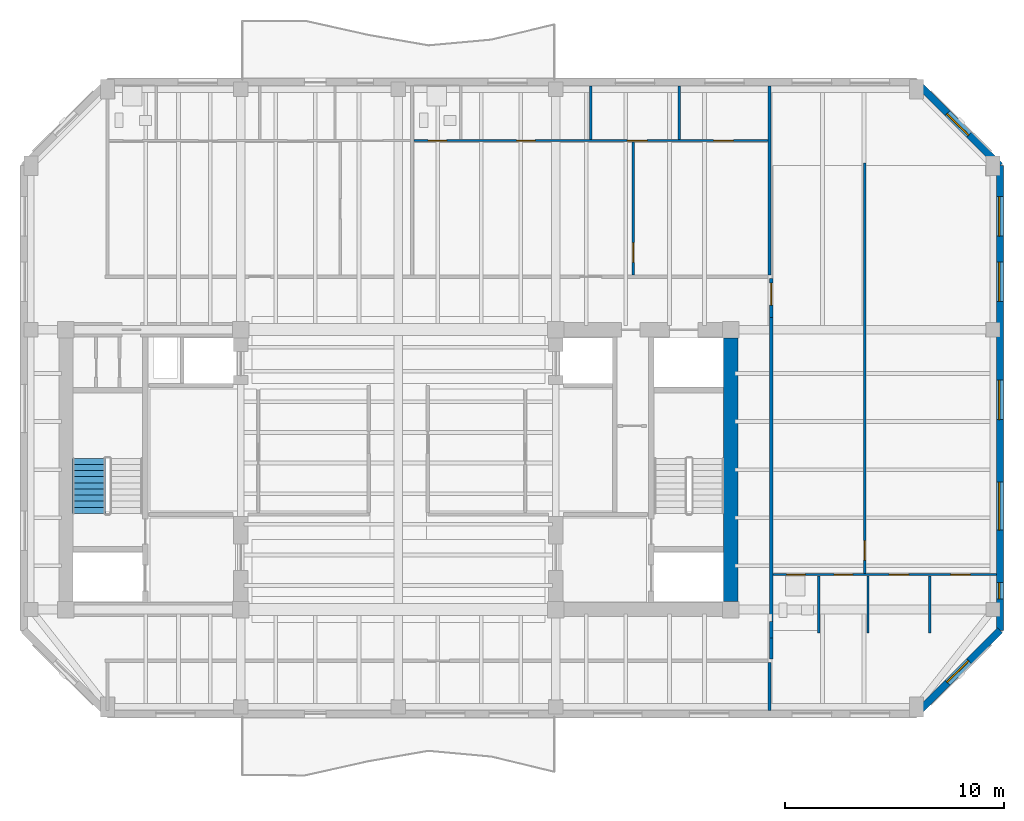
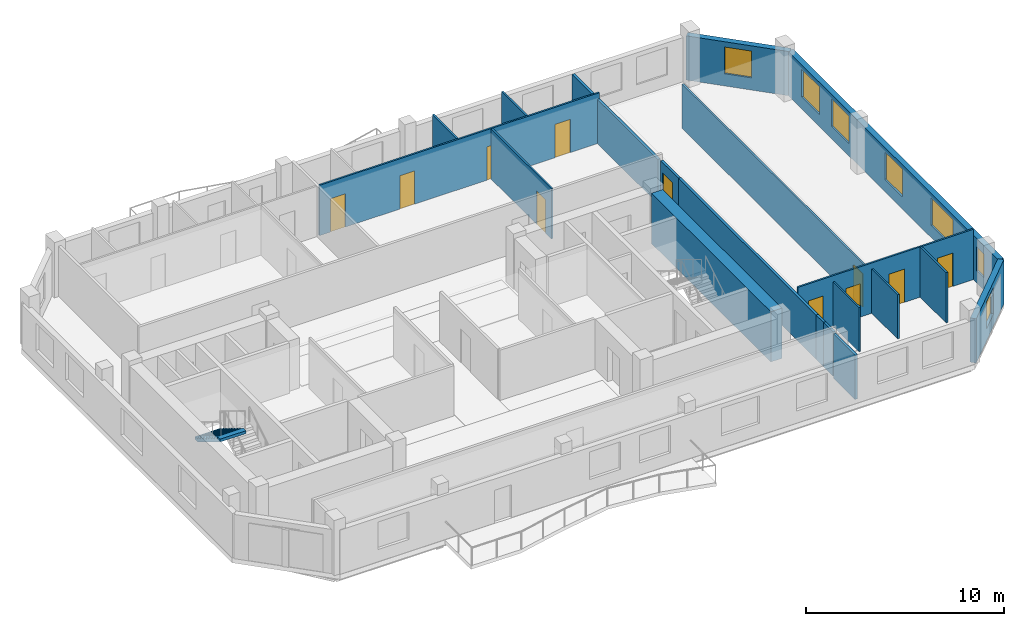
# One storey, part 5 of 9: 19 walls, 11 doors, 7 windows, 1 stair flight, 18 openings, 1 element without a shape of its own.
"""IFC4 building model written with IfcOpenShell, lengths in metres."""

from ifc_helpers import new_model, si_unit, direction, frame, frame_2d, origin, place, context, subcontext, project, spatial, polyline, rectangle, outline, extrude, material, layer, layer_set, type_object, element, fill, aggregate, save


model = new_model("IFC4")

# Units and contexts
model_context = context("Model", 3, precision=1e-05, world=origin(), true_north=direction((0.0, 1.0)))
body_context = subcontext(model_context, "Body", "Model", "MODEL_VIEW")
ifc_project = project(units=[si_unit("LENGTHUNIT", "METRE"), si_unit("AREAUNIT", "SQUARE_METRE"), si_unit("VOLUMEUNIT", "CUBIC_METRE"), si_unit("PLANEANGLEUNIT", "RADIAN"), si_unit("MASSUNIT", "GRAM", prefix="KILO")], contexts=[model_context])

# Site, building, storey
site_placement = place(None, origin())
site = spatial("IfcSite", under=ifc_project, at=site_placement, CompositionType="ELEMENT")
building_placement = place(site_placement, origin())
building = spatial("IfcBuilding", under=site, at=building_placement, Name="Kranthara Brick Stack", CompositionType="ELEMENT")
storey_placement = place(building_placement, frame((0.0, 0.0, 255.10009765625)))
storey = spatial("IfcBuildingStorey", under=building, at=storey_placement, Name="L67", CompositionType="ELEMENT", Elevation=255.10009765625)

# Wall, opening, window
ifc_material_1 = material(Name="Warm buff clay brick masonry M15", Category="masonry")
ifc_layer_1 = layer(ifc_material_1, 0.320068359375)
ifc_layer_set_1 = layer_set([ifc_layer_1], Name="Warm buff clay brick masonry M15")
wall_type_1 = type_object("IfcWallType", Name="WL-BRK-UPPR-320", PredefinedType="STANDARD", material=ifc_layer_set_1)
wall_1_placement = place(storey_placement, frame((51.699951171875, 44.919921875, 0.0), z_axis=(0.0, 0.0, 1.0), x_axis=(0.70712937715, -0.707084184501, 0.0)))
wall_1 = element("IfcWall", 1, at=wall_1_placement, inside=storey, type_object=wall_type_1, Name="L67 Exterior Brick Facade Wall NE 1", PredefinedType="STANDARD", context=body_context, shape_type="SweptSolid", body=[
    extrude(rectangle(XDim=5.402099609375, YDim=0.320068359375, at=frame_2d((2.701171875, 0.0))), origin(), (0.0, 0.0, 1.0), 2.724853515625),
])
opening_1_placement = place(wall_1_placement, frame((2.0009765625, 0.0, 0.75)))
opening_1 = element("IfcOpeningElement", 2, at=opening_1_placement, cuts=wall_1, Name="Opening WN10", PredefinedType="OPENING", context=body_context, shape_type="SweptSolid", body=[
    extrude(rectangle(XDim=1.39990234375, YDim=1.64990234375, at=frame_2d((0.699951171875, 0.824951171875))), frame((0.0, 0.169921875, 0.0), z_axis=(0.0, -1.0, 0.0), x_axis=(1.0, 0.0, 0.0)), (0.0, 0.0, 1.0), 0.340087890625),
])
ifc_material_2 = material(Name="Double-glazed low-E solar control glass", Category="glass")
window_type_1 = type_object("IfcWindowType", Name="WN-CHM-1400x1750", PartitioningType="SINGLE_PANEL", PredefinedType="WINDOW", material=ifc_material_2)
window_1_placement = place(opening_1_placement, origin())
window_1 = element("IfcWindow", 3, at=window_1_placement, inside=storey, type_object=window_type_1, Name="L67 NE Chamfer Corner Window", OverallHeight=1.64990234375, OverallWidth=1.39990234375, PartitioningType="SINGLE_PANEL", PredefinedType="WINDOW", context=body_context, shape_type="SweptSolid", body=[
    extrude(rectangle(XDim=1.39990234375, YDim=1.64990234375, at=frame_2d((0.699951171875, 0.824951171875))), frame((0.0, -0.010009765625, 0.0), z_axis=(0.0, -1.0, 0.0), x_axis=(1.0, 0.0, 0.0)), (0.0, 0.0, 1.0), 0.06005859375),
])
fill(opening_1, window_1)

# Wall, openings, windows
wall_2_placement = place(storey_placement, frame((55.52001953125, 41.10009765625, 0.0), z_axis=(0.0, 0.0, 1.0), x_axis=(0.0, -1.0, 0.0)))
wall_2 = element("IfcWall", 4, at=wall_2_placement, inside=storey, type_object=wall_type_1, Name="L67 Exterior Brick Facade Wall EAST 1", PredefinedType="STANDARD", context=body_context, shape_type="SweptSolid", body=[
    extrude(rectangle(XDim=21.25, YDim=0.320068359375, at=frame_2d((10.625, 0.0))), origin(), (0.0, 0.0, 1.0), 2.724853515625),
])
opening_2_placement = place(wall_2_placement, frame((1.4189453125, 0.0, 0.75)))
opening_2 = element("IfcOpeningElement", 5, at=opening_2_placement, cuts=wall_2, Name="Opening WN07", PredefinedType="OPENING", context=body_context, shape_type="SweptSolid", body=[
    extrude(rectangle(XDim=1.800048828125, YDim=1.699951171875, at=frame_2d((0.89990234375, 0.85009765625))), frame((0.0, 0.169921875, 0.0), z_axis=(0.0, -1.0, 0.0), x_axis=(1.0, 0.0, 0.0)), (0.0, 0.0, 1.0), 0.340087890625),
])
opening_3_placement = place(wall_2_placement, frame((4.406005859375, 0.0, 0.75)))
opening_3 = element("IfcOpeningElement", 6, at=opening_3_placement, cuts=wall_2, Name="Opening WN07", PredefinedType="OPENING", context=body_context, shape_type="SweptSolid", body=[
    extrude(rectangle(XDim=1.800048828125, YDim=1.699951171875, at=frame_2d((0.89990234375, 0.85009765625))), frame((0.0, 0.169921875, 0.0), z_axis=(0.0, -1.0, 0.0), x_axis=(1.0, 0.0, 0.0)), (0.0, 0.0, 1.0), 0.340087890625),
])
opening_4_placement = place(wall_2_placement, frame((9.806884765625, 0.0, 0.75)))
opening_4 = element("IfcOpeningElement", 7, at=opening_4_placement, cuts=wall_2, Name="Opening WN07", PredefinedType="OPENING", context=body_context, shape_type="SweptSolid", body=[
    extrude(rectangle(XDim=1.800048828125, YDim=1.699951171875, at=frame_2d((0.89990234375, 0.85009765625))), frame((0.0, 0.169921875, 0.0), z_axis=(0.0, -1.0, 0.0), x_axis=(1.0, 0.0, 0.0)), (0.0, 0.0, 1.0), 0.340087890625),
])
opening_5_placement = place(wall_2_placement, frame((14.468017578125, 0.0, 0.75)))
opening_5 = element("IfcOpeningElement", 8, at=opening_5_placement, cuts=wall_2, Name="Opening WN08", PredefinedType="OPENING", context=body_context, shape_type="SweptSolid", body=[
    extrude(rectangle(XDim=2.199951171875, YDim=1.699951171875, at=frame_2d((1.10009765625, 0.85009765625))), frame((0.0, 0.169921875, 0.0), z_axis=(0.0, -1.0, 0.0), x_axis=(1.0, 0.0, 0.0)), (0.0, 0.0, 1.0), 0.340087890625),
])
opening_6_placement = place(wall_2_placement, frame((19.06201171875, 0.0, 0.75)))
opening_6 = element("IfcOpeningElement", 9, at=opening_6_placement, cuts=wall_2, Name="Opening WN13", PredefinedType="OPENING", context=body_context, shape_type="SweptSolid", body=[
    extrude(rectangle(XDim=0.75, YDim=1.449951171875, at=frame_2d((0.375, 0.72509765625))), frame((0.0, 0.169921875, 0.0), z_axis=(0.0, -1.0, 0.0), x_axis=(1.0, 0.0, 0.0)), (0.0, 0.0, 1.0), 0.340087890625),
])
ifc_material_3 = material(Name="Double-glazed low-E solar control glass", Category="glass")
window_type_2 = type_object("IfcWindowType", Name="WN-CAS-750x1450", PartitioningType="SINGLE_PANEL", PredefinedType="WINDOW", material=ifc_material_3)
window_2_placement = place(opening_6_placement, origin())
window_2 = element("IfcWindow", 10, at=window_2_placement, inside=storey, type_object=window_type_2, Name="L67 East Deep-Set Casement Window 05", OverallHeight=1.449951171875, OverallWidth=0.75, PartitioningType="SINGLE_PANEL", PredefinedType="WINDOW", context=body_context, shape_type="SweptSolid", body=[
    extrude(rectangle(XDim=0.75, YDim=1.449951171875, at=frame_2d((0.375, 0.72509765625))), frame((0.0, -0.010009765625, 0.0), z_axis=(0.0, -1.0, 0.0), x_axis=(1.0, 0.0, 0.0)), (0.0, 0.0, 1.0), 0.06005859375),
])
fill(opening_6, window_2)
ifc_material_4 = material(Name="Double-glazed low-E solar control glass", Category="glass")
window_type_3 = type_object("IfcWindowType", Name="WN-RES-1800x1850", PartitioningType="DOUBLE_PANEL_VERTICAL", PredefinedType="WINDOW", material=ifc_material_4)
window_3_placement = place(opening_2_placement, origin())
window_3 = element("IfcWindow", 11, at=window_3_placement, inside=storey, type_object=window_type_3, Name="L67 East Deep-Set Brick Window 01", OverallHeight=1.699951171875, OverallWidth=1.800048828125, PartitioningType="SINGLE_PANEL", PredefinedType="WINDOW", context=body_context, shape_type="SweptSolid", body=[
    extrude(rectangle(XDim=1.800048828125, YDim=1.699951171875, at=frame_2d((0.89990234375, 0.85009765625))), frame((0.0, -0.010009765625, 0.0), z_axis=(0.0, -1.0, 0.0), x_axis=(1.0, 0.0, 0.0)), (0.0, 0.0, 1.0), 0.06005859375),
])
fill(opening_2, window_3)
window_4_placement = place(opening_3_placement, origin())
window_4 = element("IfcWindow", 12, at=window_4_placement, inside=storey, type_object=window_type_3, Name="L67 East Deep-Set Brick Window 02", OverallHeight=1.699951171875, OverallWidth=1.800048828125, PartitioningType="SINGLE_PANEL", PredefinedType="WINDOW", context=body_context, shape_type="SweptSolid", body=[
    extrude(rectangle(XDim=1.800048828125, YDim=1.699951171875, at=frame_2d((0.89990234375, 0.85009765625))), frame((0.0, -0.010009765625, 0.0), z_axis=(0.0, -1.0, 0.0), x_axis=(1.0, 0.0, 0.0)), (0.0, 0.0, 1.0), 0.06005859375),
])
fill(opening_3, window_4)
window_5_placement = place(opening_4_placement, origin())
window_5 = element("IfcWindow", 13, at=window_5_placement, inside=storey, type_object=window_type_3, Name="L67 East Deep-Set Brick Window 03", OverallHeight=1.699951171875, OverallWidth=1.800048828125, PartitioningType="SINGLE_PANEL", PredefinedType="WINDOW", context=body_context, shape_type="SweptSolid", body=[
    extrude(rectangle(XDim=1.800048828125, YDim=1.699951171875, at=frame_2d((0.89990234375, 0.85009765625))), frame((0.0, -0.010009765625, 0.0), z_axis=(0.0, -1.0, 0.0), x_axis=(1.0, 0.0, 0.0)), (0.0, 0.0, 1.0), 0.06005859375),
])
fill(opening_4, window_5)
ifc_material_5 = material(Name="Double-glazed low-E solar control glass", Category="glass")
window_type_4 = type_object("IfcWindowType", Name="WN-RES-2200x1850", PartitioningType="TRIPLE_PANEL_VERTICAL", PredefinedType="WINDOW", material=ifc_material_5)
window_6_placement = place(opening_5_placement, origin())
window_6 = element("IfcWindow", 14, at=window_6_placement, inside=storey, type_object=window_type_4, Name="L67 East Deep-Set Brick Window 04", OverallHeight=1.699951171875, OverallWidth=2.199951171875, PartitioningType="SINGLE_PANEL", PredefinedType="WINDOW", context=body_context, shape_type="SweptSolid", body=[
    extrude(rectangle(XDim=2.199951171875, YDim=1.699951171875, at=frame_2d((1.10009765625, 0.85009765625))), frame((0.0, -0.010009765625, 0.0), z_axis=(0.0, -1.0, 0.0), x_axis=(1.0, 0.0, 0.0)), (0.0, 0.0, 1.0), 0.06005859375),
])
fill(opening_5, window_6)

# Wall, opening, window
wall_3_placement = place(storey_placement, frame((55.52001953125, 19.85009765625, 0.0), z_axis=(0.0, 0.0, 1.0), x_axis=(-0.707106781187, -0.707106781187, 0.0)))
wall_3 = element("IfcWall", 15, at=wall_3_placement, inside=storey, type_object=wall_type_1, Name="L67 Exterior Brick Facade Wall SE 1", PredefinedType="STANDARD", context=body_context, shape_type="SweptSolid", body=[
    extrude(rectangle(XDim=5.40234375, YDim=0.320068359375, at=frame_2d((2.701171875, 0.0))), origin(), (0.0, 0.0, 1.0), 2.724853515625),
])
opening_7_placement = place(wall_3_placement, frame((2.0009765625, 0.0, 0.75)))
opening_7 = element("IfcOpeningElement", 16, at=opening_7_placement, cuts=wall_3, Name="Opening WN10", PredefinedType="OPENING", context=body_context, shape_type="SweptSolid", body=[
    extrude(rectangle(XDim=1.39990234375, YDim=1.64990234375, at=frame_2d((0.699951171875, 0.824951171875))), frame((0.0, 0.169921875, 0.0), z_axis=(0.0, -1.0, 0.0), x_axis=(1.0, 0.0, 0.0)), (0.0, 0.0, 1.0), 0.340087890625),
])
window_7_placement = place(opening_7_placement, origin())
window_7 = element("IfcWindow", 17, at=window_7_placement, inside=storey, type_object=window_type_1, Name="L67 SE Chamfer Corner Window", OverallHeight=1.64990234375, OverallWidth=1.39990234375, PartitioningType="SINGLE_PANEL", PredefinedType="WINDOW", context=body_context, shape_type="SweptSolid", body=[
    extrude(rectangle(XDim=1.39990234375, YDim=1.64990234375, at=frame_2d((0.699951171875, 0.824951171875))), frame((0.0, -0.010009765625, 0.0), z_axis=(0.0, -1.0, 0.0), x_axis=(1.0, 0.0, 0.0)), (0.0, 0.0, 1.0), 0.06005859375),
])
fill(opening_7, window_7)

# Wall
ifc_material_6 = material(Name="Concrete C60/75", Category="concrete")
ifc_layer_2 = layer(ifc_material_6, 0.64990234375)
ifc_layer_set_2 = layer_set([ifc_layer_2], Name="Concrete C60/75")
wall_type_2 = type_object("IfcWallType", Name="WL-CORE-650", PredefinedType="SHEAR", material=ifc_layer_set_2)
wall_4_placement = place(storey_placement, frame((43.199951171875, 21.179931640625, 0.0), z_axis=(0.0, 0.0, 1.0), x_axis=(0.0, 1.0, 0.0)))
element("IfcWall", 18, at=wall_4_placement, inside=storey, type_object=wall_type_2, Name="L67 East Core Shear Wall East", PredefinedType="SHEAR", context=body_context, shape_type="SweptSolid", body=[
    extrude(rectangle(XDim=12.0400390625, YDim=0.64990234375, at=frame_2d((6.02001953125, 0.0))), origin(), (0.0, 0.0, 1.0), 3.099853515625),
])

# Wall, openings, doors
ifc_material_7 = material(Name="Moisture-resistant wet-room partition", Category="other")
ifc_layer_3 = layer(ifc_material_7, 0.10009765625)
ifc_layer_set_3 = layer_set([ifc_layer_3], Name="Moisture-resistant wet-room partition")
wall_type_3 = type_object("IfcWallType", Name="WL-PART-100", PredefinedType="PARTITIONING", material=ifc_layer_set_3)
wall_5_placement = place(storey_placement, frame((28.708984375, 42.25, 0.0), z_axis=(0.0, 0.0, 1.0), x_axis=(1.0, 0.0, 0.0)))
wall_5 = element("IfcWall", 19, at=wall_5_placement, inside=storey, type_object=wall_type_3, Name="L67 Interior Partition 021", PredefinedType="PARTITIONING", context=body_context, shape_type="SweptSolid", body=[
    extrude(rectangle(XDim=16.31103515625, YDim=0.10009765625, at=frame_2d((8.155517578125, 0.0))), origin(), (0.0, 0.0, 1.0), 3.099853515625),
])
opening_8_placement = place(wall_5_placement, frame((0.64990234375, 0.0, 0.0)))
opening_8 = element("IfcOpeningElement", 20, at=opening_8_placement, cuts=wall_5, Name="Opening D17", PredefinedType="OPENING", context=body_context, shape_type="SweptSolid", body=[
    extrude(rectangle(XDim=0.85009765625, YDim=2.050048828125, at=frame_2d((0.425048828125, 1.02490234375))), frame((0.0, 0.06005859375, 0.0), z_axis=(0.0, -1.0, 0.0), x_axis=(1.0, 0.0, 0.0)), (0.0, 0.0, 1.0), 0.1201171875),
])
opening_9_placement = place(wall_5_placement, frame((4.697021484375, 0.0, 0.0)))
opening_9 = element("IfcOpeningElement", 21, at=opening_9_placement, cuts=wall_5, Name="Opening D16", PredefinedType="OPENING", context=body_context, shape_type="SweptSolid", body=[
    extrude(rectangle(XDim=0.85009765625, YDim=2.050048828125, at=frame_2d((0.425048828125, 1.02490234375))), frame((0.0, 0.06005859375, 0.0), z_axis=(0.0, -1.0, 0.0), x_axis=(1.0, 0.0, 0.0)), (0.0, 0.0, 1.0), 0.1201171875),
])
opening_10_placement = place(wall_5_placement, frame((9.76904296875, 0.0, 0.0)))
opening_10 = element("IfcOpeningElement", 22, at=opening_10_placement, cuts=wall_5, Name="Opening D15", PredefinedType="OPENING", context=body_context, shape_type="SweptSolid", body=[
    extrude(rectangle(XDim=0.89990234375, YDim=2.050048828125, at=frame_2d((0.449951171875, 1.02490234375))), frame((0.0, 0.06005859375, 0.0), z_axis=(0.0, -1.0, 0.0), x_axis=(1.0, 0.0, 0.0)), (0.0, 0.0, 1.0), 0.1201171875),
])
opening_11_placement = place(wall_5_placement, frame((13.717041015625, 0.0, 0.0)))
opening_11 = element("IfcOpeningElement", 23, at=opening_11_placement, cuts=wall_5, Name="Opening D15", PredefinedType="OPENING", context=body_context, shape_type="SweptSolid", body=[
    extrude(rectangle(XDim=0.89990234375, YDim=2.050048828125, at=frame_2d((0.449951171875, 1.02490234375))), frame((0.0, 0.06005859375, 0.0), z_axis=(0.0, -1.0, 0.0), x_axis=(1.0, 0.0, 0.0)), (0.0, 0.0, 1.0), 0.1201171875),
])
ifc_material_8 = material(Name="Solid-core hardwood timber leaf in steel frame", Category="steel")
door_type_1 = type_object("IfcDoorType", Name="DR-INT-850", OperationType="NOTDEFINED", PredefinedType="DOOR", material=ifc_material_8)
door_1_placement = place(opening_9_placement, origin())
door_1 = element("IfcDoor", 24, at=door_1_placement, inside=storey, type_object=door_type_1, Name="L67 Unit L67B Kitchen 18", OperationType="SINGLE_SWING_RIGHT", OverallHeight=2.050048828125, OverallWidth=0.85009765625, PredefinedType="DOOR", context=body_context, shape_type="SweptSolid", body=[
    extrude(rectangle(XDim=0.85009765625, YDim=2.050048828125, at=frame_2d((0.425048828125, 1.02490234375))), frame((0.0, 0.02490234375, 0.0), z_axis=(0.0, -1.0, 0.0), x_axis=(1.0, 0.0, 0.0)), (0.0, 0.0, 1.0), 0.050048828125),
])
fill(opening_9, door_1)
ifc_material_9 = material(Name="Solid-core hardwood timber leaf in steel frame", Category="steel")
door_type_2 = type_object("IfcDoorType", Name="DR-INT-900", OperationType="NOTDEFINED", PredefinedType="DOOR", material=ifc_material_9)
door_2_placement = place(opening_10_placement, origin())
door_2 = element("IfcDoor", 25, at=door_2_placement, inside=storey, type_object=door_type_2, Name="L67 Unit L67B Master Bedroom 19", OperationType="SINGLE_SWING_LEFT", OverallHeight=2.050048828125, OverallWidth=0.89990234375, PredefinedType="DOOR", context=body_context, shape_type="SweptSolid", body=[
    extrude(rectangle(XDim=0.89990234375, YDim=2.050048828125, at=frame_2d((0.449951171875, 1.02490234375))), frame((0.0, 0.02490234375, 0.0), z_axis=(0.0, -1.0, 0.0), x_axis=(1.0, 0.0, 0.0)), (0.0, 0.0, 1.0), 0.050048828125),
])
fill(opening_10, door_2)
door_3_placement = place(opening_11_placement, origin())
door_3 = element("IfcDoor", 26, at=door_3_placement, inside=storey, type_object=door_type_2, Name="L67 Unit L67B Bedroom 2 20", OperationType="SINGLE_SWING_RIGHT", OverallHeight=2.050048828125, OverallWidth=0.89990234375, PredefinedType="DOOR", context=body_context, shape_type="SweptSolid", body=[
    extrude(rectangle(XDim=0.89990234375, YDim=2.050048828125, at=frame_2d((0.449951171875, 1.02490234375))), frame((0.0, 0.02490234375, 0.0), z_axis=(0.0, -1.0, 0.0), x_axis=(1.0, 0.0, 0.0)), (0.0, 0.0, 1.0), 0.050048828125),
])
fill(opening_11, door_3)
ifc_material_10 = material(Name="Solid-core hardwood timber leaf in steel frame", Category="steel")
door_type_3 = type_object("IfcDoorType", Name="DR-WET-850", OperationType="NOTDEFINED", PredefinedType="DOOR", material=ifc_material_10)
door_4_placement = place(opening_8_placement, origin())
door_4 = element("IfcDoor", 27, at=door_4_placement, inside=storey, type_object=door_type_3, Name="L67 Unit L67B Bathroom 17", OperationType="SINGLE_SWING_LEFT", OverallHeight=2.050048828125, OverallWidth=0.85009765625, PredefinedType="DOOR", context=body_context, shape_type="SweptSolid", body=[
    extrude(rectangle(XDim=0.85009765625, YDim=2.050048828125, at=frame_2d((0.425048828125, 1.02490234375))), frame((0.0, 0.02490234375, 0.0), z_axis=(0.0, -1.0, 0.0), x_axis=(1.0, 0.0, 0.0)), (0.0, 0.0, 1.0), 0.050048828125),
])
fill(opening_8, door_4)

# Wall, opening, door
wall_6_placement = place(storey_placement, frame((38.7470703125, 36.10009765625, 0.0), z_axis=(0.0, 0.0, 1.0), x_axis=(0.0, 1.0, 0.0)))
wall_6 = element("IfcWall", 28, at=wall_6_placement, inside=storey, type_object=wall_type_3, Name="L67 Interior Partition 022", PredefinedType="PARTITIONING", context=body_context, shape_type="SweptSolid", body=[
    extrude(rectangle(XDim=6.094970703125, YDim=0.10009765625, at=frame_2d((3.04736328125, 0.0))), origin(), (0.0, 0.0, 1.0), 3.099853515625),
])
opening_12_placement = place(wall_6_placement, frame((0.580078125, 0.0, 0.0)))
opening_12 = element("IfcOpeningElement", 29, at=opening_12_placement, cuts=wall_6, Name="Opening D15", PredefinedType="OPENING", context=body_context, shape_type="SweptSolid", body=[
    extrude(rectangle(XDim=0.89990234375, YDim=2.050048828125, at=frame_2d((0.449951171875, 1.02490234375))), frame((0.0, 0.06005859375, 0.0), z_axis=(0.0, -1.0, 0.0), x_axis=(1.0, 0.0, 0.0)), (0.0, 0.0, 1.0), 0.1201171875),
])
door_5_placement = place(opening_12_placement, origin())
door_5 = element("IfcDoor", 30, at=door_5_placement, inside=storey, type_object=door_type_2, Name="L67 Unit L67B Study 16", OperationType="SINGLE_SWING_RIGHT", OverallHeight=2.050048828125, OverallWidth=0.89990234375, PredefinedType="DOOR", context=body_context, shape_type="SweptSolid", body=[
    extrude(rectangle(XDim=0.89990234375, YDim=2.050048828125, at=frame_2d((0.449951171875, 1.02490234375))), frame((0.0, 0.02490234375, 0.0), z_axis=(0.0, -1.0, 0.0), x_axis=(1.0, 0.0, 0.0)), (0.0, 0.0, 1.0), 0.050048828125),
])
fill(opening_12, door_5)

# Walls
for number, where, z_axis, x_axis, name in (
    (31, (36.803955078125, 42.304931640625, 0.0), (0.0, 0.0, 1.0), (0.0, 1.0, 0.0), "L67 Interior Partition 024"),
    (32, (40.85205078125, 42.304931640625, 0.0), (0.0, 0.0, 1.0), (0.0, 1.0, 0.0), "L67 Interior Partition 025"),
):
    element("IfcWall", number, at=place(storey_placement, frame(where, z_axis=z_axis, x_axis=x_axis)), inside=storey, type_object=wall_type_3, Name=name, PredefinedType="PARTITIONING", context=body_context, shape_type="SweptSolid", body=[
        extrude(rectangle(XDim=2.449951171875, YDim=0.10009765625, at=frame_2d((1.22509765625, 0.0))), origin(), (0.0, 0.0, 1.0), 3.099853515625),
    ])

# Wall, openings, doors
wall_7_placement = place(storey_placement, frame((45.1298828125, 22.39990234375, 0.0), z_axis=(0.0, 0.0, 1.0), x_axis=(1.0, 0.0, 0.0)))
wall_7 = element("IfcWall", 33, at=wall_7_placement, inside=storey, type_object=wall_type_3, Name="L67 Interior Partition 032", PredefinedType="PARTITIONING", context=body_context, shape_type="SweptSolid", body=[
    extrude(rectangle(XDim=10.22509765625, YDim=0.10009765625, at=frame_2d((5.112548828125, 0.0))), origin(), (0.0, 0.0, 1.0), 3.099853515625),
])
opening_13_placement = place(wall_7_placement, frame((0.626953125, 0.0, 0.0)))
opening_13 = element("IfcOpeningElement", 34, at=opening_13_placement, cuts=wall_7, Name="Opening D17", PredefinedType="OPENING", context=body_context, shape_type="SweptSolid", body=[
    extrude(rectangle(XDim=0.85009765625, YDim=2.050048828125, at=frame_2d((0.425048828125, 1.02490234375))), frame((0.0, 0.06005859375, 0.0), z_axis=(0.0, -1.0, 0.0), x_axis=(1.0, 0.0, 0.0)), (0.0, 0.0, 1.0), 0.1201171875),
])
opening_14_placement = place(wall_7_placement, frame((2.798095703125, 0.0, 0.0)))
opening_14 = element("IfcOpeningElement", 35, at=opening_14_placement, cuts=wall_7, Name="Opening D16", PredefinedType="OPENING", context=body_context, shape_type="SweptSolid", body=[
    extrude(rectangle(XDim=0.85009765625, YDim=2.050048828125, at=frame_2d((0.425048828125, 1.02490234375))), frame((0.0, 0.06005859375, 0.0), z_axis=(0.0, -1.0, 0.0), x_axis=(1.0, 0.0, 0.0)), (0.0, 0.0, 1.0), 0.1201171875),
])
opening_15_placement = place(wall_7_placement, frame((5.31396484375, 0.0, 0.0)))
opening_15 = element("IfcOpeningElement", 36, at=opening_15_placement, cuts=wall_7, Name="Opening D15", PredefinedType="OPENING", context=body_context, shape_type="SweptSolid", body=[
    extrude(rectangle(XDim=0.89990234375, YDim=2.050048828125, at=frame_2d((0.449951171875, 1.02490234375))), frame((0.0, 0.06005859375, 0.0), z_axis=(0.0, -1.0, 0.0), x_axis=(1.0, 0.0, 0.0)), (0.0, 0.0, 1.0), 0.1201171875),
])
opening_16_placement = place(wall_7_placement, frame((8.137939453125, 0.0, 0.0)))
opening_16 = element("IfcOpeningElement", 37, at=opening_16_placement, cuts=wall_7, Name="Opening D15", PredefinedType="OPENING", context=body_context, shape_type="SweptSolid", body=[
    extrude(rectangle(XDim=0.89990234375, YDim=2.050048828125, at=frame_2d((0.449951171875, 1.02490234375))), frame((0.0, 0.06005859375, 0.0), z_axis=(0.0, -1.0, 0.0), x_axis=(1.0, 0.0, 0.0)), (0.0, 0.0, 1.0), 0.1201171875),
])
door_6_placement = place(opening_14_placement, origin())
door_6 = element("IfcDoor", 38, at=door_6_placement, inside=storey, type_object=door_type_1, Name="L67 Unit L67C Kitchen 24", OperationType="SINGLE_SWING_RIGHT", OverallHeight=2.050048828125, OverallWidth=0.85009765625, PredefinedType="DOOR", context=body_context, shape_type="SweptSolid", body=[
    extrude(rectangle(XDim=0.85009765625, YDim=2.050048828125, at=frame_2d((0.425048828125, 1.02490234375))), frame((0.0, 0.02490234375, 0.0), z_axis=(0.0, -1.0, 0.0), x_axis=(1.0, 0.0, 0.0)), (0.0, 0.0, 1.0), 0.050048828125),
])
fill(opening_14, door_6)
door_7_placement = place(opening_15_placement, origin())
door_7 = element("IfcDoor", 39, at=door_7_placement, inside=storey, type_object=door_type_2, Name="L67 Unit L67C Master Bedroom 25", OperationType="SINGLE_SWING_LEFT", OverallHeight=2.050048828125, OverallWidth=0.89990234375, PredefinedType="DOOR", context=body_context, shape_type="SweptSolid", body=[
    extrude(rectangle(XDim=0.89990234375, YDim=2.050048828125, at=frame_2d((0.449951171875, 1.02490234375))), frame((0.0, 0.02490234375, 0.0), z_axis=(0.0, -1.0, 0.0), x_axis=(1.0, 0.0, 0.0)), (0.0, 0.0, 1.0), 0.050048828125),
])
fill(opening_15, door_7)
door_8_placement = place(opening_16_placement, origin())
door_8 = element("IfcDoor", 40, at=door_8_placement, inside=storey, type_object=door_type_2, Name="L67 Unit L67C Bedroom 2 26", OperationType="SINGLE_SWING_RIGHT", OverallHeight=2.050048828125, OverallWidth=0.89990234375, PredefinedType="DOOR", context=body_context, shape_type="SweptSolid", body=[
    extrude(rectangle(XDim=0.89990234375, YDim=2.050048828125, at=frame_2d((0.449951171875, 1.02490234375))), frame((0.0, 0.02490234375, 0.0), z_axis=(0.0, -1.0, 0.0), x_axis=(1.0, 0.0, 0.0)), (0.0, 0.0, 1.0), 0.050048828125),
])
fill(opening_16, door_8)
door_9_placement = place(opening_13_placement, origin())
door_9 = element("IfcDoor", 41, at=door_9_placement, inside=storey, type_object=door_type_3, Name="L67 Unit L67C Bathroom 23", OperationType="SINGLE_SWING_LEFT", OverallHeight=2.050048828125, OverallWidth=0.85009765625, PredefinedType="DOOR", context=body_context, shape_type="SweptSolid", body=[
    extrude(rectangle(XDim=0.85009765625, YDim=2.050048828125, at=frame_2d((0.425048828125, 1.02490234375))), frame((0.0, 0.02490234375, 0.0), z_axis=(0.0, -1.0, 0.0), x_axis=(1.0, 0.0, 0.0)), (0.0, 0.0, 1.0), 0.050048828125),
])
fill(opening_13, door_9)

# Wall, opening, door
wall_8_placement = place(storey_placement, frame((49.3291015625, 22.455078125, 0.0), z_axis=(0.0, 0.0, 1.0), x_axis=(0.0, 1.0, 0.0)))
wall_8 = element("IfcWall", 42, at=wall_8_placement, inside=storey, type_object=wall_type_3, Name="L67 Interior Partition 033", PredefinedType="PARTITIONING", context=body_context, shape_type="SweptSolid", body=[
    extrude(rectangle(XDim=18.764892578125, YDim=0.10009765625, at=frame_2d((9.38232421875, 0.0))), origin(), (0.0, 0.0, 1.0), 2.724853515625),
])
opening_17_placement = place(wall_8_placement, frame((0.60498046875, 0.0, 0.0)))
opening_17 = element("IfcOpeningElement", 43, at=opening_17_placement, cuts=wall_8, Name="Opening D15", PredefinedType="OPENING", context=body_context, shape_type="SweptSolid", body=[
    extrude(rectangle(XDim=0.89990234375, YDim=2.050048828125, at=frame_2d((0.449951171875, 1.02490234375))), frame((0.0, 0.06005859375, 0.0), z_axis=(0.0, -1.0, 0.0), x_axis=(1.0, 0.0, 0.0)), (0.0, 0.0, 1.0), 0.1201171875),
])
door_10_placement = place(opening_17_placement, origin())
door_10 = element("IfcDoor", 44, at=door_10_placement, inside=storey, type_object=door_type_2, Name="L67 Unit L67C Study 22", OperationType="SINGLE_SWING_RIGHT", OverallHeight=2.050048828125, OverallWidth=0.89990234375, PredefinedType="DOOR", context=body_context, shape_type="SweptSolid", body=[
    extrude(rectangle(XDim=0.89990234375, YDim=2.050048828125, at=frame_2d((0.449951171875, 1.02490234375))), frame((0.0, 0.02490234375, 0.0), z_axis=(0.0, -1.0, 0.0), x_axis=(1.0, 0.0, 0.0)), (0.0, 0.0, 1.0), 0.050048828125),
])
fill(opening_17, door_10)

# Walls
for number, where, z_axis, x_axis, name in (
    (45, (47.22412109375, 19.72998046875, 0.0), (0.0, 0.0, 1.0), (0.0, 1.0, 0.0), "L67 Interior Partition 034"),
    (46, (49.48193359375, 19.72998046875, 0.0), (0.0, 0.0, 1.0), (0.0, 1.0, 0.0), "L67 Interior Partition 035"),
):
    element("IfcWall", number, at=place(storey_placement, frame(where, z_axis=z_axis, x_axis=x_axis)), inside=storey, type_object=wall_type_3, Name=name, PredefinedType="PARTITIONING", context=body_context, shape_type="SweptSolid", body=[
        extrude(rectangle(XDim=2.614990234375, YDim=0.10009765625, at=frame_2d((1.3076171875, 0.0))), origin(), (0.0, 0.0, 1.0), 2.724853515625),
    ])
wall_9_placement = place(storey_placement, frame((52.305908203125, 19.72998046875, 0.0), z_axis=(0.0, 0.0, 1.0), x_axis=(0.0, 1.0, 0.0)))
element("IfcWall", 47, at=wall_9_placement, inside=storey, type_object=wall_type_3, Name="L67 Interior Partition 036", PredefinedType="PARTITIONING", context=body_context, shape_type="SweptSolid", body=[
    extrude(rectangle(XDim=2.614990234375, YDim=0.10009765625, at=frame_2d((1.3076171875, 0.0))), origin(), (0.0, 0.0, 1.0), 3.099853515625),
])
ifc_material_11 = material(Name="Fire-rated gypsum board partition", Category="other")
ifc_layer_4 = layer(ifc_material_11, 0.14990234375)
ifc_layer_set_4 = layer_set([ifc_layer_4], Name="Fire-rated gypsum board partition")
wall_type_4 = type_object("IfcWallType", Name="WL-PART-150", PredefinedType="PARTITIONING", material=ifc_layer_set_4)
wall_10_placement = place(storey_placement, frame((44.97998046875, 16.195068359375, 0.0), z_axis=(0.0, 0.0, 1.0), x_axis=(0.0, 1.0, 0.0)))
element("IfcWall", 48, at=wall_10_placement, inside=storey, type_object=wall_type_4, Name="L67 Interior Partition 012", PredefinedType="PARTITIONING", context=body_context, shape_type="SweptSolid", body=[
    extrude(rectangle(XDim=2.184814453125, YDim=0.14990234375, at=frame_2d((1.09228515625, 0.0))), origin(), (0.0, 0.0, 1.0), 2.724853515625),
])
wall_11_placement = place(storey_placement, frame((44.97998046875, 36.10009765625, 0.0), z_axis=(0.0, 0.0, 1.0), x_axis=(0.0, 1.0, 0.0)))
element("IfcWall", 49, at=wall_11_placement, inside=storey, type_object=wall_type_4, Name="L67 Interior Partition 026", PredefinedType="PARTITIONING", context=body_context, shape_type="SweptSolid", body=[
    extrude(rectangle(XDim=8.65478515625, YDim=0.14990234375, at=frame_2d((4.327392578125, 0.0))), origin(), (0.0, 0.0, 1.0), 2.724853515625),
])
wall_12_placement = place(storey_placement, frame((45.050048828125, 19.5, 0.0), z_axis=(0.0, 0.0, 1.0), x_axis=(0.0, -1.0, 0.0)))
element("IfcWall", 50, at=wall_12_placement, inside=storey, type_object=wall_type_4, Name="L67 Interior Partition 027", PredefinedType="PARTITIONING", context=body_context, shape_type="SweptSolid", body=[
    extrude(rectangle(XDim=0.9599609375, YDim=0.14990234375, at=frame_2d((0.47998046875, 0.0))), origin(), (0.0, 0.0, 1.0), 2.724853515625),
])
wall_13_placement = place(storey_placement, frame((45.050048828125, 19.510009765625, 0.0), z_axis=(0.0, 0.0, 1.0), x_axis=(0.0, 1.0, 0.0)))
element("IfcWall", 51, at=wall_13_placement, inside=storey, type_object=wall_type_4, Name="L67 Interior Partition 028", PredefinedType="PARTITIONING", context=body_context, shape_type="SweptSolid", body=[
    extrude(rectangle(XDim=0.739990234375, YDim=0.14990234375, at=frame_2d((0.3701171875, 0.0))), origin(), (0.0, 0.0, 1.0), 2.724853515625),
])
wall_14_placement = place(storey_placement, frame((45.050048828125, 20.25, 0.0), z_axis=(0.0, 0.0, 1.0), x_axis=(0.0, 1.0, 0.0)))
element("IfcWall", 52, at=wall_14_placement, inside=storey, type_object=wall_type_4, Name="L67 Interior Partition 029", PredefinedType="PARTITIONING", context=body_context, shape_type="SweptSolid", body=[
    extrude(rectangle(XDim=13.89990234375, YDim=0.14990234375, at=frame_2d((6.949951171875, 0.0))), origin(), (0.0, 0.0, 1.0), 2.724853515625),
])

# Wall, opening, door
wall_15_placement = place(storey_placement, frame((45.050048828125, 34.14990234375, 0.0), z_axis=(0.0, 0.0, 1.0), x_axis=(0.0, 1.0, 0.0)))
wall_15 = element("IfcWall", 53, at=wall_15_placement, inside=storey, type_object=wall_type_4, Name="L67 Interior Partition 030", PredefinedType="PARTITIONING", context=body_context, shape_type="SweptSolid", body=[
    extrude(rectangle(XDim=1.7900390625, YDim=0.14990234375, at=frame_2d((0.89501953125, 0.0))), origin(), (0.0, 0.0, 1.0), 2.724853515625),
])
opening_18_placement = place(wall_15_placement, frame((0.580078125, 0.0, 0.0)))
opening_18 = element("IfcOpeningElement", 54, at=opening_18_placement, cuts=wall_15, Name="Opening D08", PredefinedType="OPENING", context=body_context, shape_type="SweptSolid", body=[
    extrude(rectangle(XDim=1.0, YDim=2.10009765625, at=frame_2d((0.5, 1.050048828125))), frame((0.0, 0.0849609375, 0.0), z_axis=(0.0, -1.0, 0.0), x_axis=(1.0, 0.0, 0.0)), (0.0, 0.0, 1.0), 0.169921875),
])
ifc_material_12 = material(Name="Solid-core hardwood timber leaf in steel frame", Category="steel")
door_type_4 = type_object("IfcDoorType", Name="DR-FD-1000", OperationType="NOTDEFINED", PredefinedType="DOOR", material=ifc_material_12)
door_11_placement = place(opening_18_placement, origin())
door_11 = element("IfcDoor", 55, at=door_11_placement, inside=storey, type_object=door_type_4, Name="L67 Unit L67C Entrance 21", OperationType="SINGLE_SWING_LEFT", OverallHeight=2.10009765625, OverallWidth=1.0, PredefinedType="DOOR", context=body_context, shape_type="SweptSolid", body=[
    extrude(rectangle(XDim=1.0, YDim=2.10009765625, at=frame_2d((0.5, 1.050048828125))), frame((0.0, 0.02490234375, 0.0), z_axis=(0.0, -1.0, 0.0), x_axis=(1.0, 0.0, 0.0)), (0.0, 0.0, 1.0), 0.050048828125),
])
fill(opening_18, door_11)

# Stair, stair flight
ifc_material_13 = material(Name="Concrete C45/55", Category="concrete")
stair_type = type_object("IfcStairType", Name="ST-CORE-20R", PredefinedType="HALF_TURN_STAIR", material=ifc_material_13)
stair_placement = place(storey_placement, origin())
stair = element("IfcStair", 56, at=stair_placement, inside=storey, type_object=stair_type, Name="L67 West Core Protected Exit Stair ST01", PredefinedType="HALF_TURN_STAIR")
ifc_material_14 = material(Name="Concrete C45/55", Category="concrete")
stair_flight_type = type_object("IfcStairFlightType", Name="SFL-RC-20R", PredefinedType="STRAIGHT", material=ifc_material_14)
stair_flight_placement = place(storey_placement, frame((13.85009765625, 27.719970703125, 1.699951171875), z_axis=(0.0, 0.0, 1.0), x_axis=(0.0, -1.0, 0.0)))
stair_flight = element("IfcStairFlight", 57, at=stair_flight_placement, type_object=stair_flight_type, Name="ST01 flight 2", NumberOfRisers=10, NumberOfTreads=9, PredefinedType="STRAIGHT", RiserHeight=0.17, TreadLength=0.28, context=body_context, shape_type="SweptSolid", body=[
    extrude(outline(polyline([(0.0, 0.0), (0.0, 0.169921875), (0.280029296875, 0.169921875), (0.280029296875, 0.340087890625), (0.56005859375, 0.340087890625), (0.56005859375, 0.510009765625), (0.840087890625, 0.510009765625), (0.840087890625, 0.679931640625), (1.1201171875, 0.679931640625), (1.1201171875, 0.85009765625), (1.39990234375, 0.85009765625), (1.39990234375, 1.02001953125), (1.679931640625, 1.02001953125), (1.679931640625, 1.18994140625), (1.9599609375, 1.18994140625), (1.9599609375, 1.360107421875), (2.239990234375, 1.360107421875), (2.239990234375, 1.530029296875), (2.52001953125, 1.530029296875), (2.52001953125, 1.699951171875), (2.52001953125, 1.354736328125), (0.288818359375, 0.0), (0.0, 0.0)])), frame((0.0, 0.75, 0.0), z_axis=(0.0, -1.0, 0.0), x_axis=(1.0, 0.0, 0.0)), (0.0, 0.0, 1.0), 1.5),
])
aggregate(stair, [stair_flight])

save(model, "model.ifc")
